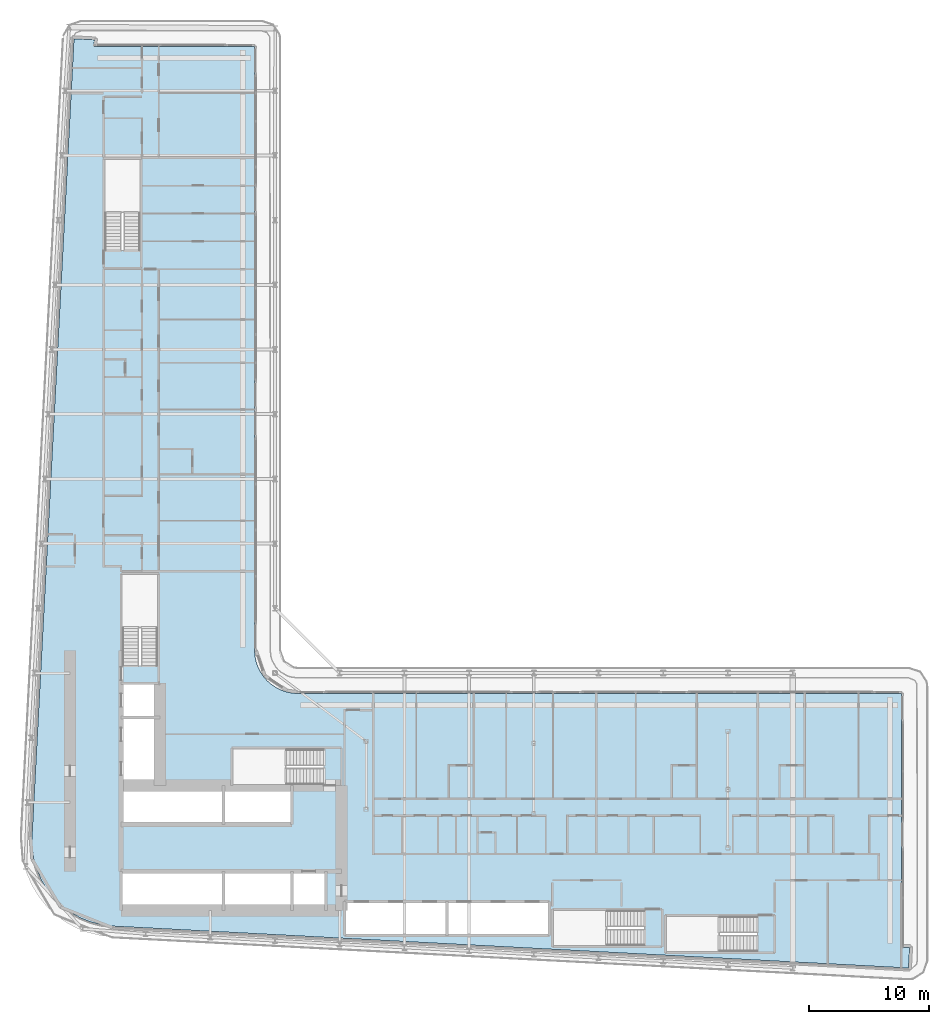
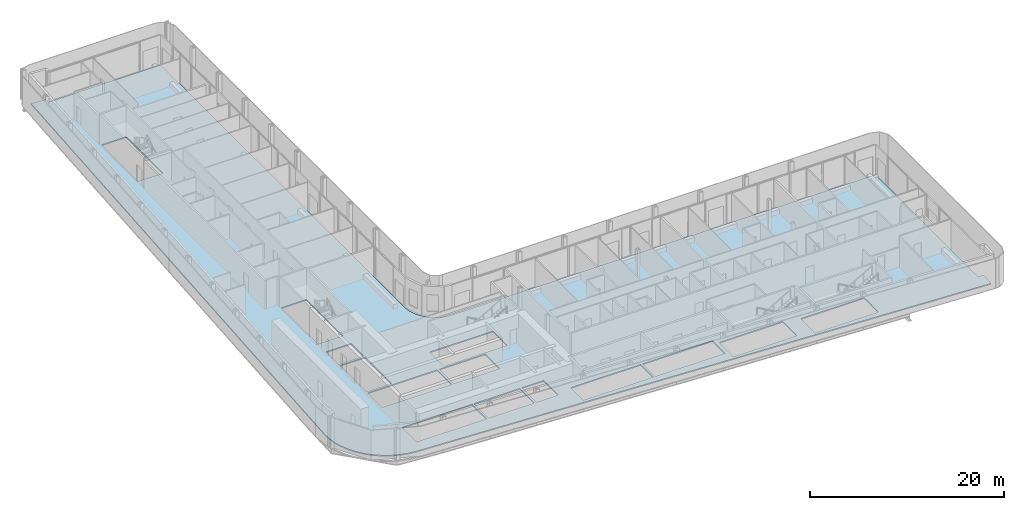
# One storey, part 11 of 29: 1 slab.
"""IFC4 building model written with IfcOpenShell, lengths in metres."""

import ifcopenshell
import ifcopenshell.guid

model = None  # the IFC model being written
_history = None  # IfcOwnerHistory: only IFC2X3 demands one
_inside = {}  # id of a spatial element -> (the spatial element, [elements in it])
_under = {}  # id of a project, library or spatial element -> (it, [spatial elements below it])
_declared = {}  # id of a project -> (the project, [libraries it declares])
_typed = {}  # id of a type object -> (the type object, [elements of that type])
_made_of = {}  # id of a material, layer set ... -> (it, [elements and type objects made of it])


def new_model(schema):
    """Start an empty IFC model of exactly this schema.

    Asked for "IFC4X3", IfcOpenShell would pick the latest addendum, in which some entities
    have other attributes; the version numbers below select the first issue.
    IFC2X3 requires an IfcOwnerHistory on every rooted entity: one is made here for all.
    """
    global model, _history
    if schema == "IFC4X3":
        model = ifcopenshell.file(schema_version=(4, 3, 0, 0))
    else:
        model = ifcopenshell.file(schema=schema)
    _inside.clear()
    _under.clear()
    _declared.clear()
    _typed.clear()
    _made_of.clear()
    _history = None
    if model.schema == "IFC2X3":
        org = make("IfcOrganization", Name="unknown")
        user = make(
            "IfcPersonAndOrganization",
            ThePerson=make("IfcPerson", FamilyName="unknown"),
            TheOrganization=org,
        )
        app = make(
            "IfcApplication",
            ApplicationDeveloper=org,
            Version="unknown",
            ApplicationFullName="unknown",
            ApplicationIdentifier="unknown",
        )
        _history = make(
            "IfcOwnerHistory",
            OwningUser=user,
            OwningApplication=app,
            ChangeAction="ADDED",
            CreationDate=0,
        )
    return model


def make(cls, **values):
    """One entity of the class cls with the attributes given. An attribute that is None is left unset."""
    return model.create_entity(
        cls, **{name: value for name, value in values.items() if value is not None}
    )


def rooted(cls, **values):
    """An entity with a GlobalId (a new one), such as an element, a storey or a relation."""
    return make(cls, GlobalId=ifcopenshell.guid.new(), OwnerHistory=_history, **values)


def si_unit(unit_type, name, prefix=None):
    """IfcSIUnit, for example si_unit("LENGTHUNIT", "METRE", prefix="MILLI")."""
    return make("IfcSIUnit", UnitType=unit_type, Prefix=prefix, Name=name)


def assignment(units):
    """IfcUnitAssignment: the units of a project."""
    return None if units is None else make("IfcUnitAssignment", Units=units)


def point(xyz):
    """IfcCartesianPoint."""
    return None if xyz is None else make("IfcCartesianPoint", Coordinates=xyz)


def direction(xyz):
    """IfcDirection."""
    return None if xyz is None else make("IfcDirection", DirectionRatios=xyz)


def frame(location, z_axis=None, x_axis=None):
    """IfcAxis2Placement3D, a coordinate frame: its origin and axes. An axis left out is left unset."""
    return make(
        "IfcAxis2Placement3D",
        Location=point(location),
        Axis=direction(z_axis),
        RefDirection=direction(x_axis),
    )


def origin():
    """The frame at (0, 0, 0) with its axes left unset."""
    return frame((0.0, 0.0, 0.0))


def place(relative_to, where):
    """IfcLocalPlacement: puts the frame where relative to a parent placement (None: the world)."""
    return make(
        "IfcLocalPlacement", PlacementRelTo=relative_to, RelativePlacement=where
    )


def context(
    kind, dimensions, precision=None, world=None, true_north=None, identifier=None
):
    """IfcGeometricRepresentationContext, for example the 3D "Model" context."""
    return make(
        "IfcGeometricRepresentationContext",
        ContextIdentifier=identifier,
        ContextType=kind,
        CoordinateSpaceDimension=dimensions,
        Precision=precision,
        WorldCoordinateSystem=world,
        TrueNorth=true_north,
    )


def subcontext(parent, identifier, kind, view, scale=None):
    """IfcGeometricRepresentationSubContext, for example "Body" below "Model"."""
    return make(
        "IfcGeometricRepresentationSubContext",
        ContextIdentifier=identifier,
        ContextType=kind,
        ParentContext=parent,
        TargetScale=scale,
        TargetView=view,
    )


def project(units=None, contexts=None):
    """IfcProject with its units and contexts."""
    return rooted(
        "IfcProject",
        Name="project",
        RepresentationContexts=contexts,
        UnitsInContext=assignment(units),
    )


def spatial(cls, under=None, at=None, **own):
    """A site, building, storey or space (cls), placed at a placement, below another one or the project."""
    s = rooted(cls, ObjectPlacement=at, **own)
    if under is not None:
        _under.setdefault(under.id(), (under, []))[1].append(s)
    return s


def polyline(points):
    """IfcPolyline through the points."""
    return make("IfcPolyline", Points=[point(p) for p in points])


def outline(outer, holes=None, kind="AREA"):
    """IfcArbitraryClosedProfileDef: a profile drawn as a closed curve; with holes, ...WithVoids."""
    if holes is None:
        return make("IfcArbitraryClosedProfileDef", ProfileType=kind, OuterCurve=outer)
    return make(
        "IfcArbitraryProfileDefWithVoids",
        ProfileType=kind,
        OuterCurve=outer,
        InnerCurves=holes,
    )


def extrude(swept, where, along, depth):
    """IfcExtrudedAreaSolid: the profile swept, set in the frame where, extruded along a direction by depth."""
    return make(
        "IfcExtrudedAreaSolid",
        SweptArea=swept,
        Position=where,
        ExtrudedDirection=direction(along),
        Depth=depth,
    )


def shape(context_of_items, identifier, shape_type, items):
    """IfcShapeRepresentation: the items that make up one representation, for example the "Body"."""
    return make(
        "IfcShapeRepresentation",
        ContextOfItems=context_of_items,
        RepresentationIdentifier=identifier,
        RepresentationType=shape_type,
        Items=items,
    )


def material(Name=None, Category=None):
    """IfcMaterial."""
    return make("IfcMaterial", Name=Name, Category=Category)


def layer(
    of_material, thickness, ventilated=None, Name=None, Category=None, Priority=None
):
    """IfcMaterialLayer: one layer of a wall or slab, of a material (None: an air gap)."""
    return make(
        "IfcMaterialLayer",
        Material=of_material,
        LayerThickness=thickness,
        IsVentilated=ventilated,
        Name=Name,
        Category=Category,
        Priority=Priority,
    )


def layer_set(layers, Name=None):
    """IfcMaterialLayerSet."""
    return make("IfcMaterialLayerSet", MaterialLayers=layers, LayerSetName=Name)


def made_of(thing, what):
    """Note that an element or type object is made of a material, layer set ...; save() writes the relation."""
    if what is not None:
        _made_of.setdefault(what.id(), (what, []))[1].append(thing)
    return thing


def type_object(cls, material=None, **own):
    """A type object (cls), such as IfcWallType, which elements share."""
    return made_of(rooted(cls, **own), material)


def element(
    cls,
    number,
    at=None,
    inside=None,
    cuts=None,
    type_object=None,
    material=None,
    context=None,
    identifier="Body",
    shape_type=None,
    held_by="IfcProductDefinitionShape",
    body=None,
    shapes=None,
    **own,
):
    """One element of the class cls, such as IfcWall. Its Tag is "e" and its number.

    at: its placement. inside: the storey or other place that contains it. cuts: it is an
    opening in that element (IfcRelVoidsElement). A single representation is given by context,
    identifier, shape_type and body (its items); several are given by shapes. held_by: the class
    of the entity that holds the representations. save() writes the other relations.
    """
    e = rooted(cls, Tag="e%d" % number, ObjectPlacement=at, **own)
    if body is not None:
        shapes = [shape(context, identifier, shape_type, body)]
    if shapes is not None:
        e.Representation = make(held_by, Representations=shapes)
    if inside is not None:
        _inside.setdefault(inside.id(), (inside, []))[1].append(e)
    if cuts is not None:
        rooted(
            "IfcRelVoidsElement", RelatingBuildingElement=cuts, RelatedOpeningElement=e
        )
    if type_object is not None:
        _typed.setdefault(type_object.id(), (type_object, []))[1].append(e)
    return made_of(e, material)


def aggregate(whole, parts):
    """IfcRelAggregates: a whole, such as a stair, and the parts it consists of."""
    return rooted("IfcRelAggregates", RelatingObject=whole, RelatedObjects=parts)


def save(model, path):
    """Write the relations noted so far, then the file.

    IfcRelAggregates (storeys below a building ...), IfcRelContainedInSpatialStructure (elements
    in a storey), IfcRelDefinesByType, IfcRelAssociatesMaterial and IfcRelDeclares: one each for
    every whole, place, type object, material and project.
    """
    for whole, parts in _under.values():
        aggregate(whole, parts)
    for where, things in _inside.values():
        rooted(
            "IfcRelContainedInSpatialStructure",
            RelatedElements=things,
            RelatingStructure=where,
        )
    for kind, things in _typed.values():
        rooted("IfcRelDefinesByType", RelatedObjects=things, RelatingType=kind)
    for what, things in _made_of.values():
        rooted("IfcRelAssociatesMaterial", RelatedObjects=things, RelatingMaterial=what)
    for by, libraries in _declared.values():
        rooted("IfcRelDeclares", RelatingContext=by, RelatedDefinitions=libraries)
    model.write(path)


model = new_model("IFC4")

# Units and contexts
model_context = context("Model", 3, precision=1e-05, world=origin(), true_north=direction((0.0, 1.0)))
body_context = subcontext(model_context, "Body", "Model", "MODEL_VIEW")
ifc_project = project(units=[si_unit("LENGTHUNIT", "METRE"), si_unit("AREAUNIT", "SQUARE_METRE"), si_unit("VOLUMEUNIT", "CUBIC_METRE"), si_unit("PLANEANGLEUNIT", "RADIAN"), si_unit("MASSUNIT", "GRAM", prefix="KILO")], contexts=[model_context])

# Site, building, storey
site_placement = place(None, origin())
site = spatial("IfcSite", under=ifc_project, at=site_placement, CompositionType="ELEMENT")
building_placement = place(site_placement, origin())
building = spatial("IfcBuilding", under=site, at=building_placement, Name="Kheshtan School and Residences Tower", CompositionType="ELEMENT")
storey_placement = place(building_placement, frame((0.0, 0.0, 69.5)))
storey = spatial("IfcBuildingStorey", under=building, at=storey_placement, Name="L16", CompositionType="ELEMENT", Elevation=69.5)

# Slab
ifc_material = material(Name="Concrete C40/50", Category="concrete")
ifc_layer = layer(ifc_material, 0.14990234375)
ifc_layer_set = layer_set([ifc_layer], Name="Floor slab 150 Concrete C40/50")
slab_type = type_object("IfcSlabType", Name="Floor slab 150 Concrete C40/50", PredefinedType="FLOOR", material=ifc_layer_set)
slab_placement = place(storey_placement, frame((0.0, 0.0, -0.14990234375)))
element("IfcSlab", 1, at=slab_placement, inside=storey, type_object=slab_type, Name="Floor slab L16", PredefinedType="FLOOR", context=body_context, shape_type="SweptSolid", body=[
    extrude(outline(polyline([(27.718017578125, 29.200927734375), (27.466064453125, 30.093017578125), (27.466064453125, 30.093994140625), (27.3330078125, 31.013916015625), (27.320068359375, 31.965087890625), (27.320068359375, 31.970947265625), (30.822021484375, 98.5009765625), (30.822998046875, 98.508056640625), (30.825927734375, 98.531005859375), (30.825927734375, 98.531982421875), (30.826904296875, 98.531982421875), (31.422119140625, 98.5), (31.423095703125, 98.5), (31.423095703125, 98.4990234375), (31.423095703125, 98.4951171875), (31.423095703125, 98.493896484375), (31.424072265625, 98.493896484375), (31.424072265625, 98.492919921875), (31.425048828125, 98.492919921875), (31.426025390625, 98.492919921875), (31.426025390625, 98.493896484375), (31.427978515625, 98.49609375), (31.428955078125, 98.4970703125), (31.429931640625, 98.498046875), (31.430908203125, 98.498046875), (31.430908203125, 98.4990234375), (31.431884765625, 98.4990234375), (31.431884765625, 98.5), (31.43505859375, 98.5009765625), (31.43603515625, 98.501953125), (31.43896484375, 98.501953125), (31.43994140625, 98.501953125), (31.43994140625, 98.5029296875), (31.44091796875, 98.5029296875), (31.446044921875, 98.5029296875), (32.5009765625, 98.447021484375), (32.50390625, 98.447021484375), (32.5048828125, 98.447021484375), (32.5048828125, 98.446044921875), (32.506103515625, 98.446044921875), (32.510009765625, 98.446044921875), (32.510009765625, 98.445068359375), (32.510986328125, 98.445068359375), (32.510986328125, 98.444091796875), (32.511962890625, 98.444091796875), (32.511962890625, 98.443115234375), (32.512939453125, 98.443115234375), (32.513916015625, 98.443115234375), (32.513916015625, 98.44189453125), (32.514892578125, 98.44189453125), (32.51611328125, 98.44189453125), (32.51904296875, 98.43896484375), (32.51904296875, 98.43798828125), (32.51904296875, 98.43701171875), (32.52001953125, 98.43701171875), (32.52001953125, 98.43603515625), (32.52099609375, 98.43603515625), (32.52099609375, 98.43408203125), (32.52099609375, 98.43310546875), (32.52197265625, 98.43310546875), (32.52197265625, 98.431884765625), (32.52294921875, 98.431884765625), (32.52294921875, 98.430908203125), (32.52294921875, 98.428955078125), (32.52294921875, 98.427978515625), (32.52392578125, 98.427978515625), (32.52392578125, 98.427001953125), (32.52392578125, 98.422119140625), (32.4970703125, 97.9208984375), (32.4970703125, 97.91796875), (32.4970703125, 97.9169921875), (32.49609375, 97.9169921875), (32.49609375, 97.916015625), (32.49609375, 97.912109375), (32.4951171875, 97.910888671875), (32.4951171875, 97.909912109375), (32.493896484375, 97.909912109375), (32.493896484375, 97.908935546875), (32.492919921875, 97.908935546875), (32.492919921875, 97.907958984375), (32.489013671875, 97.904052734375), (32.488037109375, 97.904052734375), (32.488037109375, 97.903076171875), (32.488037109375, 97.902099609375), (32.488037109375, 97.90087890625), (32.489013671875, 97.90087890625), (32.489013671875, 97.89990234375), (32.489990234375, 97.89990234375), (45.85498046875, 97.89990234375), (45.864990234375, 97.89794921875), (45.865966796875, 97.89794921875), (45.868896484375, 97.89599609375), (45.8740234375, 97.89404296875), (45.8779296875, 97.89208984375), (45.881103515625, 97.889892578125), (45.881103515625, 97.888916015625), (45.882080078125, 97.888916015625), (45.882080078125, 97.887939453125), (45.883056640625, 97.887939453125), (45.884033203125, 97.885009765625), (45.885009765625, 97.885009765625), (45.885009765625, 97.884033203125), (45.887939453125, 97.883056640625), (45.887939453125, 97.882080078125), (45.888916015625, 97.882080078125), (45.888916015625, 97.881103515625), (45.889892578125, 97.881103515625), (45.89208984375, 97.8779296875), (45.89404296875, 97.8740234375), (45.89599609375, 97.868896484375), (45.89794921875, 97.865966796875), (45.89794921875, 97.864990234375), (45.89990234375, 97.85498046875), (45.89990234375, 47.429931640625), (45.927001953125, 47.030029296875), (46.01806640625, 46.570068359375), (46.01806640625, 46.569091796875), (46.169921875, 46.1201171875), (46.37890625, 45.697021484375), (46.638916015625, 45.30810546875), (46.949951171875, 44.950927734375), (46.950927734375, 44.949951171875), (47.30810546875, 44.638916015625), (47.697021484375, 44.37890625), (48.1201171875, 44.169921875), (48.569091796875, 44.01806640625), (48.570068359375, 44.01806640625), (49.030029296875, 43.927001953125), (49.429931640625, 43.89990234375), (99.85498046875, 43.89990234375), (99.864990234375, 43.89794921875), (99.865966796875, 43.89794921875), (99.868896484375, 43.89599609375), (99.8740234375, 43.89404296875), (99.8779296875, 43.89208984375), (99.881103515625, 43.889892578125), (99.881103515625, 43.888916015625), (99.882080078125, 43.888916015625), (99.882080078125, 43.887939453125), (99.883056640625, 43.887939453125), (99.884033203125, 43.885009765625), (99.885009765625, 43.885009765625), (99.885009765625, 43.884033203125), (99.887939453125, 43.883056640625), (99.887939453125, 43.882080078125), (99.888916015625, 43.882080078125), (99.888916015625, 43.881103515625), (99.889892578125, 43.881103515625), (99.89208984375, 43.8779296875), (99.89404296875, 43.8740234375), (99.89599609375, 43.868896484375), (99.89794921875, 43.865966796875), (99.89794921875, 43.864990234375), (99.89990234375, 43.85498046875), (99.89990234375, 22.708984375), (99.89990234375, 22.7080078125), (99.90087890625, 22.7080078125), (99.90087890625, 22.70703125), (99.902099609375, 22.70703125), (99.903076171875, 22.70703125), (99.903076171875, 22.7080078125), (99.905029296875, 22.7099609375), (99.906982421875, 22.7119140625), (99.907958984375, 22.7119140625), (99.907958984375, 22.712890625), (99.908935546875, 22.712890625), (99.908935546875, 22.714111328125), (99.909912109375, 22.714111328125), (99.912109375, 22.715087890625), (99.9130859375, 22.716064453125), (99.916015625, 22.716064453125), (99.9169921875, 22.716064453125), (99.9169921875, 22.717041015625), (99.91796875, 22.717041015625), (99.923095703125, 22.717041015625), (100.5380859375, 22.68408203125), (100.541015625, 22.68408203125), (100.5419921875, 22.68408203125), (100.5419921875, 22.68310546875), (100.54296875, 22.68310546875), (100.547119140625, 22.68310546875), (100.547119140625, 22.681884765625), (100.548095703125, 22.681884765625), (100.548095703125, 22.680908203125), (100.549072265625, 22.680908203125), (100.549072265625, 22.679931640625), (100.550048828125, 22.679931640625), (100.551025390625, 22.679931640625), (100.551025390625, 22.678955078125), (100.552001953125, 22.678955078125), (100.552978515625, 22.678955078125), (100.552978515625, 22.677978515625), (100.554931640625, 22.676025390625), (100.555908203125, 22.676025390625), (100.555908203125, 22.675048828125), (100.555908203125, 22.674072265625), (100.556884765625, 22.674072265625), (100.556884765625, 22.673095703125), (100.55810546875, 22.673095703125), (100.55810546875, 22.6708984375), (100.55810546875, 22.669921875), (100.55908203125, 22.669921875), (100.55908203125, 22.6689453125), (100.56005859375, 22.6689453125), (100.56005859375, 22.66796875), (100.56005859375, 22.666015625), (100.56005859375, 22.6650390625), (100.56103515625, 22.6650390625), (100.56103515625, 22.6640625), (100.56103515625, 22.658935546875), (100.5048828125, 21.60205078125), (100.5048828125, 21.59912109375), (100.5048828125, 21.597900390625), (100.50390625, 21.597900390625), (100.50390625, 21.596923828125), (100.50390625, 21.593017578125), (100.5029296875, 21.592041015625), (100.5029296875, 21.591064453125), (100.501953125, 21.591064453125), (100.501953125, 21.590087890625), (100.5009765625, 21.590087890625), (100.5009765625, 21.589111328125), (100.5, 21.587890625), (100.498046875, 21.5859375), (100.4970703125, 21.5849609375), (100.49609375, 21.5849609375), (100.49609375, 21.583984375), (100.49609375, 21.5830078125), (100.49609375, 21.58203125), (100.4970703125, 21.58203125), (100.4970703125, 21.5810546875), (100.498046875, 21.5810546875), (100.4990234375, 21.5810546875), (100.5, 21.5810546875), (100.5, 21.580078125), (100.468017578125, 20.985107421875), (100.468017578125, 20.98388671875), (100.467041015625, 20.98388671875), (100.443115234375, 20.98291015625), (100.43798828125, 20.98291015625), (34.056884765625, 24.47802734375), (33.114990234375, 24.590087890625), (32.215087890625, 24.819091796875), (32.214111328125, 24.819091796875), (31.35205078125, 25.1630859375), (30.541015625, 25.616943359375), (29.799072265625, 26.1708984375), (29.799072265625, 26.172119140625), (29.798095703125, 26.172119140625), (29.134033203125, 26.820068359375), (29.134033203125, 26.821044921875), (29.133056640625, 26.821044921875), (28.55908203125, 27.550048828125), (28.0849609375, 28.345947265625), (27.718017578125, 29.200927734375)]), holes=[polyline([(99.89990234375, 21.5869140625), (99.89990234375, 21.5830078125), (99.89990234375, 21.58203125), (99.90087890625, 21.58203125), (99.90087890625, 21.5810546875), (99.902099609375, 21.5810546875), (99.906005859375, 21.5810546875), (99.906982421875, 21.5810546875), (99.906982421875, 21.58203125), (99.907958984375, 21.58203125), (99.907958984375, 21.5830078125), (99.907958984375, 21.583984375), (99.906982421875, 21.583984375), (99.905029296875, 21.5859375), (99.904052734375, 21.5869140625), (99.903076171875, 21.587890625), (99.903076171875, 21.589111328125), (99.902099609375, 21.589111328125), (99.90087890625, 21.589111328125), (99.90087890625, 21.587890625), (99.89990234375, 21.587890625), (99.89990234375, 21.5869140625)]), polyline([(31.423095703125, 97.906005859375), (31.423095703125, 97.902099609375), (31.423095703125, 97.90087890625), (31.424072265625, 97.90087890625), (31.424072265625, 97.89990234375), (31.425048828125, 97.89990234375), (31.428955078125, 97.89990234375), (31.429931640625, 97.89990234375), (31.429931640625, 97.90087890625), (31.430908203125, 97.90087890625), (31.430908203125, 97.902099609375), (31.430908203125, 97.903076171875), (31.429931640625, 97.903076171875), (31.428955078125, 97.904052734375), (31.427978515625, 97.905029296875), (31.427001953125, 97.906005859375), (31.426025390625, 97.906982421875), (31.426025390625, 97.907958984375), (31.425048828125, 97.907958984375), (31.424072265625, 97.907958984375), (31.424072265625, 97.906982421875), (31.423095703125, 97.906982421875), (31.423095703125, 97.906005859375)]), polyline([(34.875, 28.925048828125), (34.875, 25.925048828125), (43.175048828125, 25.925048828125), (43.175048828125, 28.925048828125), (34.875, 28.925048828125)]), polyline([(43.425048828125, 25.925048828125), (48.875, 25.925048828125), (48.875, 28.925048828125), (43.425048828125, 28.925048828125), (43.425048828125, 25.925048828125)]), polyline([(43.175048828125, 36.074951171875), (34.875, 36.074951171875), (34.875, 33.074951171875), (43.175048828125, 33.074951171875), (43.175048828125, 36.074951171875)]), polyline([(34.875, 41.77490234375), (34.875, 36.324951171875), (37.875, 36.324951171875), (37.875, 41.77490234375), (34.875, 41.77490234375)]), polyline([(34.875, 44.625), (34.875, 42.02490234375), (37.875, 42.02490234375), (37.875, 44.625), (34.875, 44.625)]), polyline([(37.800048828125, 46.25), (37.800048828125, 53.81005859375), (34.85009765625, 53.81005859375), (34.85009765625, 46.260009765625), (36.25, 46.260009765625), (36.25, 46.25), (37.800048828125, 46.25)]), polyline([(33.39990234375, 88.4599609375), (33.39990234375, 80.909912109375), (34.800048828125, 80.909912109375), (34.800048828125, 80.89990234375), (36.35009765625, 80.89990234375), (36.35009765625, 88.4599609375), (33.39990234375, 88.4599609375)]), polyline([(87.81005859375, 22.35009765625), (87.81005859375, 23.75), (87.820068359375, 23.75), (87.820068359375, 25.300048828125), (80.260009765625, 25.300048828125), (80.260009765625, 22.35009765625), (87.81005859375, 22.35009765625)]), polyline([(70.85009765625, 22.85009765625), (78.39990234375, 22.85009765625), (78.39990234375, 24.25), (78.409912109375, 24.25), (78.409912109375, 25.800048828125), (70.85009765625, 25.800048828125), (70.85009765625, 22.85009765625)]), polyline([(61.824951171875, 26.425048828125), (53.52490234375, 26.425048828125), (53.52490234375, 23.824951171875), (61.824951171875, 23.824951171875), (61.824951171875, 26.425048828125)]), polyline([(62.074951171875, 23.824951171875), (70.375, 23.824951171875), (70.375, 26.425048828125), (62.074951171875, 26.425048828125), (62.074951171875, 23.824951171875)]), polyline([(49.125, 28.925048828125), (49.125, 25.925048828125), (51.72509765625, 25.925048828125), (51.72509765625, 28.925048828125), (49.125, 28.925048828125)]), polyline([(43.425048828125, 33.074951171875), (48.875, 33.074951171875), (48.875, 36.074951171875), (43.425048828125, 36.074951171875), (43.425048828125, 33.074951171875)]), polyline([(51.64990234375, 39.25), (44.090087890625, 39.25), (44.090087890625, 36.300048828125), (51.639892578125, 36.300048828125), (51.639892578125, 37.699951171875), (51.64990234375, 37.699951171875), (51.64990234375, 39.25)])]), origin(), (0.0, 0.0, 1.0), 0.14990234375),
])

save(model, "model.ifc")
